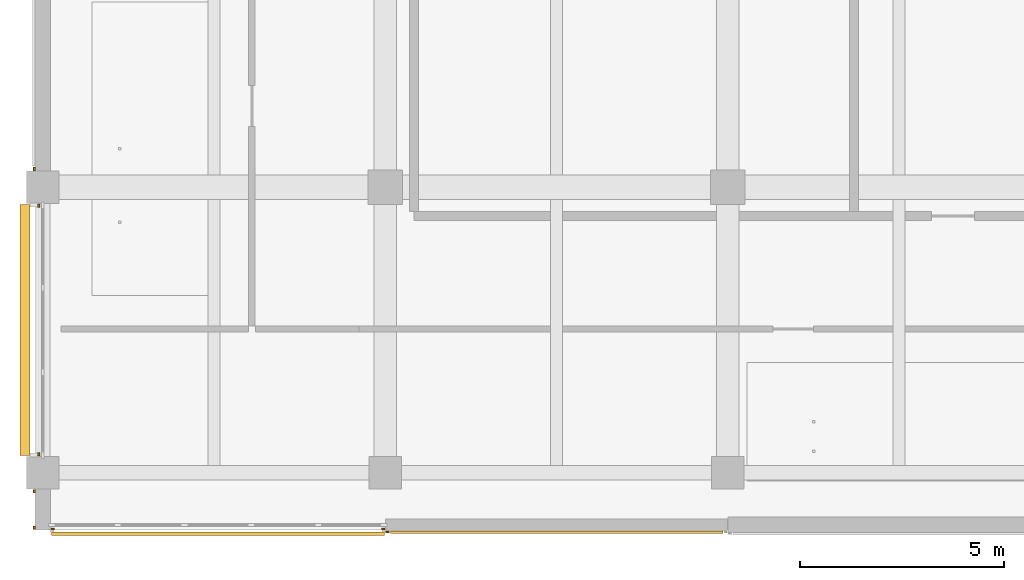
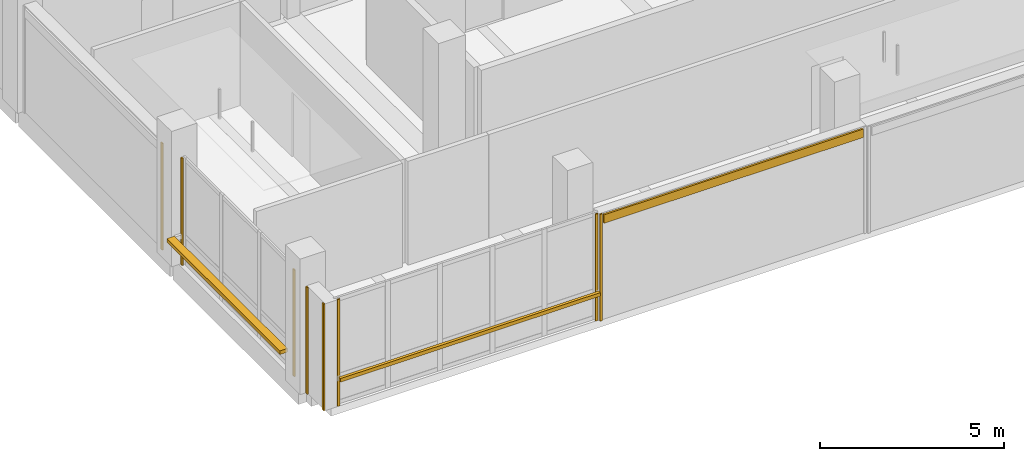
# One storey, part 23 of 35: 9 coverings, 2 shading devices.
"""IFC4 building model written with IfcOpenShell, lengths in metres."""

from ifc_helpers import new_model, si_unit, direction, frame, origin, origin_2d, place, context, subcontext, project, spatial, rectangle, extrude, material, layer, layer_set, type_object, element, save


model = new_model("IFC4")

# Units and contexts
model_context = context("Model", 3, precision=1e-05, world=origin(), true_north=direction((0.0, 1.0)))
body_context = subcontext(model_context, "Body", "Model", "MODEL_VIEW")
ifc_project = project(units=[si_unit("LENGTHUNIT", "METRE"), si_unit("AREAUNIT", "SQUARE_METRE"), si_unit("VOLUMEUNIT", "CUBIC_METRE"), si_unit("PLANEANGLEUNIT", "RADIAN"), si_unit("MASSUNIT", "GRAM", prefix="KILO")], contexts=[model_context])

# Site, building, storey
site_placement = place(None, origin())
site = spatial("IfcSite", under=ifc_project, at=site_placement, CompositionType="ELEMENT")
building_placement = place(site_placement, origin())
building = spatial("IfcBuilding", under=site, at=building_placement, Name="Telukmera Botanical Conservatory", CompositionType="ELEMENT")
storey_placement = place(building_placement, frame((0.0, 0.0, 28.5)))
storey = spatial("IfcBuildingStorey", under=building, at=storey_placement, Name="L06", CompositionType="ELEMENT", Elevation=28.5)

# Coverings
ifc_material_1 = material(Name="Granite-faced precast concrete C40/50", Category="masonry")
ifc_layer_1 = layer(ifc_material_1, 0.0400390625)
ifc_layer_set_1 = layer_set([ifc_layer_1], Name="Granite-faced precast concrete C40/50")
covering_type_1 = type_object("IfcCoveringType", Name="Granite Precast Column Pier Reveal Casing", PredefinedType="CLADDING", material=ifc_layer_set_1)
for number, where, z_axis, x_axis, name in (
    (1, (50.18994140625, 9.25, 0.0), (0.0, 0.0, 1.0), (0.0, 1.0, 0.0), "Granite Pier Reveal V4:L06:SWC L"),
    (2, (50.18994140625, 10.14794921875, 0.0), (0.0, 0.0, 1.0), (0.0, 1.0, 0.0), "Granite Pier Reveal V4:L06:SWC R"),
    (3, (50.64208984375, 9.219970703125, 0.0), (0.0, 0.0, 1.0), (1.0, 0.0, 0.0), "Granite Pier Reveal V4:L06:S1 L"),
    (4, (58.748046875, 9.219970703125, 0.0), (0.0, 0.0, 1.0), (1.0, 0.0, 0.0), "Granite Pier Reveal V4:L06:S1 R"),
    (5, (58.85205078125, 9.14990234375, 0.0), (0.0, 0.0, 1.0), (1.0, 0.0, 0.0), "Granite Pier Reveal V4:L06:S2 L"),
    (6, (50.300048828125, 11.052001953125, 0.0), (0.0, 0.0, 1.0), (0.0, 1.0, 0.0), "Granite Pier Reveal V4:L06:W1 L"),
    (7, (50.300048828125, 17.14794921875, 0.0), (0.0, 0.0, 1.0), (0.0, 1.0, 0.0), "Granite Pier Reveal V4:L06:W1 R"),
    (8, (50.18994140625, 18.052001953125, 0.0), (0.0, 0.0, 1.0), (0.0, 1.0, 0.0), "Granite Pier Reveal V4:L06:W2 L"),
):
    element("IfcCovering", number, at=place(storey_placement, frame(where, z_axis=z_axis, x_axis=x_axis)), inside=storey, type_object=covering_type_1, Name=name, PredefinedType="CLADDING", context=body_context, shape_type="SweptSolid", body=[
        extrude(rectangle(XDim=0.080078125, YDim=0.0400390625, at=origin_2d()), origin(), (0.0, 0.0, 1.0), 3.550048828125),
    ])

# Shading devices
ifc_material_2 = material(Name="Perforated terracotta-anodised aluminium 6063-T6", Category="masonry")
ifc_layer_2 = layer(ifc_material_2, 0.044921875)
ifc_layer_set_2 = layer_set([ifc_layer_2], Name="Perforated terracotta-anodised aluminium 6063-T6")
shading_device_type = type_object("IfcShadingDeviceType", Name="Perforated Terracotta Aluminium Monsoon Brise Soleil", PredefinedType="JALOUSIE", material=ifc_layer_set_2)
shading_device_1_placement = place(storey_placement, frame((54.695068359375, 9.10498046875, 0.889892578125), z_axis=(0.0, 0.0, 1.0), x_axis=(1.0, 0.0, 0.0)))
element("IfcShadingDevice", 9, at=shading_device_1_placement, inside=storey, type_object=shading_device_type, Name="Monsoon Shading BS01 V4:L06:S1", PredefinedType="JALOUSIE", context=body_context, shape_type="SweptSolid", body=[
    extrude(rectangle(XDim=8.166015625, YDim=0.090087890625, at=origin_2d()), origin(), (0.0, 0.0, 1.0), 0.1201171875),
])
shading_device_2_placement = place(storey_placement, frame((49.9599609375, 14.10009765625, 0.889892578125), z_axis=(0.0, 0.0, 1.0), x_axis=(0.0, 1.0, 0.0)))
element("IfcShadingDevice", 10, at=shading_device_2_placement, inside=storey, type_object=shading_device_type, Name="Monsoon Shading BS01 V4:L06:W1", PredefinedType="JALOUSIE", context=body_context, shape_type="SweptSolid", body=[
    extrude(rectangle(XDim=6.156005859375, YDim=0.239990234375, at=origin_2d()), origin(), (0.0, 0.0, 1.0), 0.1201171875),
])

# Covering
ifc_material_3 = material(Name="Terracotta-faced precast concrete C40/50", Category="masonry")
ifc_layer_3 = layer(ifc_material_3, 0.06005859375)
ifc_layer_set_3 = layer_set([ifc_layer_3], Name="Terracotta-faced precast concrete C40/50")
covering_type_2 = type_object("IfcCoveringType", Name="Polychrome Terracotta Facade Band Cladding", PredefinedType="CLADDING", material=ifc_layer_set_3)
covering_placement = place(storey_placement, frame((63.0, 9.139892578125, 3.22998046875), z_axis=(0.0, 0.0, 1.0), x_axis=(1.0, 0.0, 0.0)))
element("IfcCovering", 11, at=covering_placement, inside=storey, type_object=covering_type_2, Name="Polychrome Terracotta Band V4:L06:S2", PredefinedType="CLADDING", context=body_context, shape_type="SweptSolid", body=[
    extrude(rectangle(XDim=8.156005859375, YDim=0.06005859375, at=origin_2d()), origin(), (0.0, 0.0, 1.0), 0.280029296875),
])

save(model, "model.ifc")
